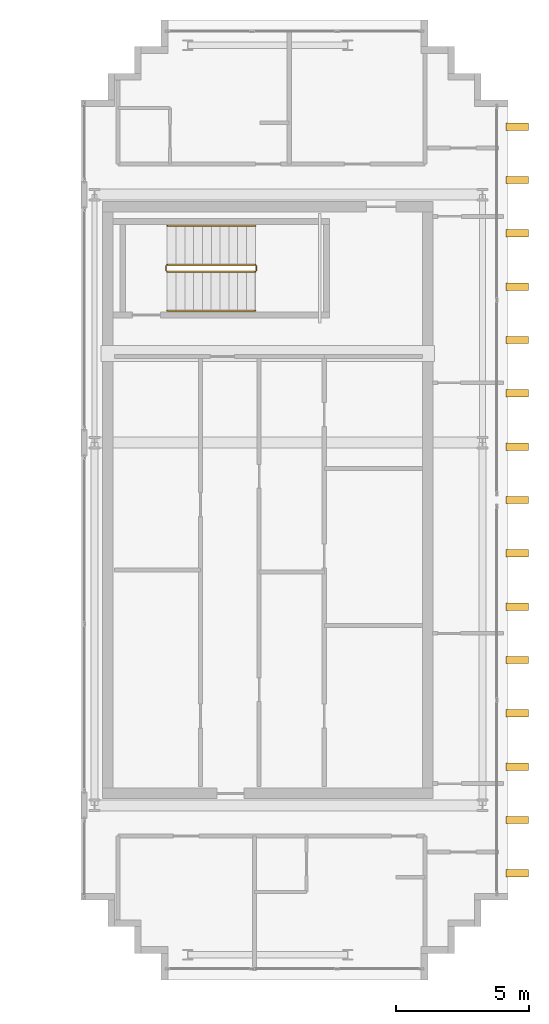
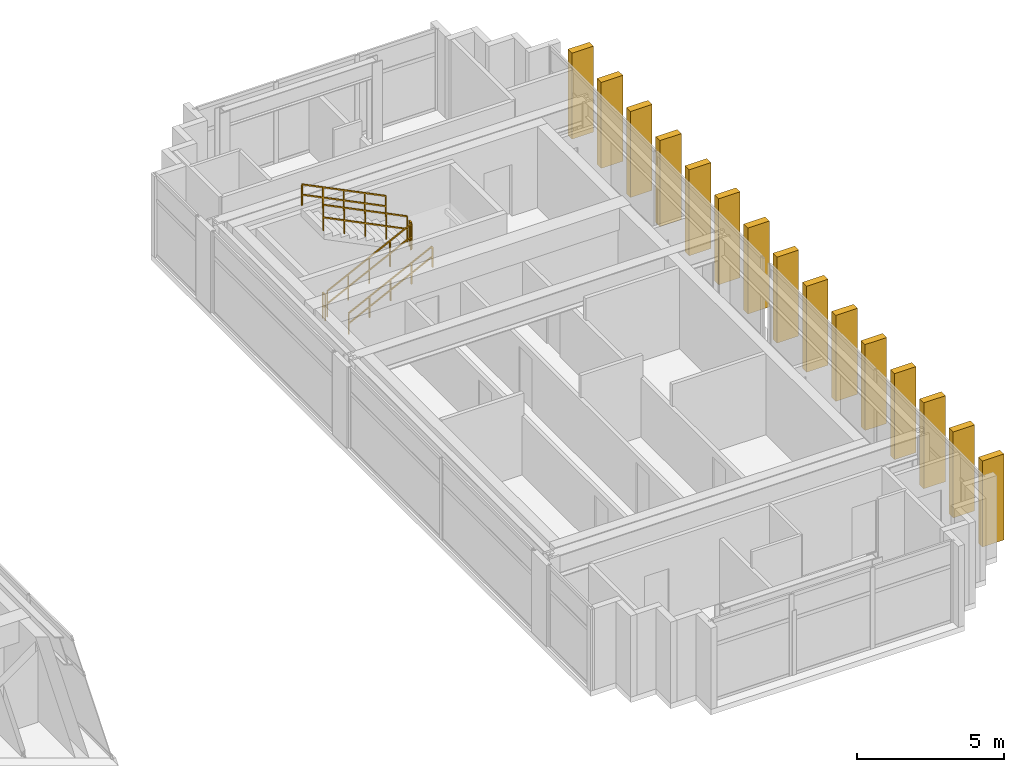
# One storey, part 25 of 25: 15 shading devices, 6 railings.
"""IFC4 building model written with IfcOpenShell, lengths in metres."""

from ifc_helpers import new_model, si_unit, direction, frame, origin, origin_2d, place, context, subcontext, project, spatial, rectangle, extrude, source, transform, mapped, material, type_object, element, save


model = new_model("IFC4")

# Units and contexts
model_context = context("Model", 3, precision=1e-05, world=origin(), true_north=direction((0.0, 1.0)))
body_context = subcontext(model_context, "Body", "Model", "MODEL_VIEW")
ifc_project = project(units=[si_unit("LENGTHUNIT", "METRE"), si_unit("AREAUNIT", "SQUARE_METRE"), si_unit("VOLUMEUNIT", "CUBIC_METRE"), si_unit("PLANEANGLEUNIT", "RADIAN"), si_unit("MASSUNIT", "GRAM", prefix="KILO")], contexts=[model_context])

# Site, building, storey
site_placement = place(None, origin())
site = spatial("IfcSite", under=ifc_project, at=site_placement, CompositionType="ELEMENT")
building_placement = place(site_placement, origin())
building = spatial("IfcBuilding", under=site, at=building_placement, Name="Ocotamira Hotel", CompositionType="ELEMENT")
storey_placement = place(building_placement, frame((0.0, 0.0, 261.60009765625)))
storey = spatial("IfcBuildingStorey", under=building, at=storey_placement, Name="L66", CompositionType="ELEMENT", Elevation=261.60009765625)

# Railings
ifc_material_1 = material(Name="Brushed stainless steel handrail", Category="steel")
railing_type_1 = type_object("IfcRailingType", Name="RL-HAND-900", PredefinedType="HANDRAIL", material=ifc_material_1)
railing_1_placement = place(storey_placement, frame((43.22998046875, 33.10009765625, 0.3271484375)))
element("IfcRailing", 1, at=railing_1_placement, inside=storey, type_object=railing_type_1, Name="L66 ST-4 stair handrail 1", PredefinedType="HANDRAIL", context=body_context, shape_type="SweptSolid", body=[
    extrude(rectangle(XDim=0.048095703125, YDim=0.048095703125, at=origin_2d()), frame((0.0, 0.0, 0.8759765625), z_axis=(0.895893744519, 0.0, 0.4442683857), x_axis=(0.0, 1.0, 0.0)), (0.0, 0.0, 1.0), 3.68359375),
    extrude(rectangle(XDim=0.048095703125, YDim=0.048095703125, at=origin_2d()), frame((0.0, 0.0, 0.449951171875), z_axis=(0.895893744519, 0.0, 0.4442683857), x_axis=(0.0, 1.0, 0.0)), (0.0, 0.0, 1.0), 3.68359375),
    extrude(rectangle(XDim=0.0419921875, YDim=0.0419921875, at=origin_2d()), origin(), (0.0, 0.0, 1.0), 0.851806640625),
    extrude(rectangle(XDim=0.0419921875, YDim=0.0419921875, at=origin_2d()), frame((0.824951171875, 0.0, 0.4091796875)), (0.0, 0.0, 1.0), 0.851806640625),
    extrude(rectangle(XDim=0.0419921875, YDim=0.0419921875, at=origin_2d()), frame((1.64990234375, 0.0, 0.818359375)), (0.0, 0.0, 1.0), 0.851806640625),
    extrude(rectangle(XDim=0.0419921875, YDim=0.0419921875, at=origin_2d()), frame((2.47509765625, 0.0, 1.227294921875)), (0.0, 0.0, 1.0), 0.851806640625),
    extrude(rectangle(XDim=0.0419921875, YDim=0.0419921875, at=origin_2d()), frame((3.300048828125, 0.0, 1.636474609375)), (0.0, 0.0, 1.0), 0.851806640625),
])
railing_2_placement = place(storey_placement, frame((46.530029296875, 36.280029296875, 2.127197265625)))
element("IfcRailing", 2, at=railing_2_placement, inside=storey, type_object=railing_type_1, Name="L66 ST-4 stair handrail 2", PredefinedType="HANDRAIL", context=body_context, shape_type="SweptSolid", body=[
    extrude(rectangle(XDim=0.048095703125, YDim=0.048095703125, at=origin_2d()), frame((0.0, 0.0, 0.8759765625), z_axis=(-0.895920123917, 0.0, 0.444215186098), x_axis=(0.0, -1.0, 0.0)), (0.0, 0.0, 1.0), 3.683349609375),
    extrude(rectangle(XDim=0.048095703125, YDim=0.048095703125, at=origin_2d()), frame((0.0, 0.0, 0.449951171875), z_axis=(-0.895920123917, 0.0, 0.444215186098), x_axis=(0.0, -1.0, 0.0)), (0.0, 0.0, 1.0), 3.683349609375),
    extrude(rectangle(XDim=0.0419921875, YDim=0.0419921875, at=origin_2d()), origin(), (0.0, 0.0, 1.0), 0.851806640625),
    extrude(rectangle(XDim=0.0419921875, YDim=0.0419921875, at=origin_2d()), frame((-0.824951171875, 0.0, 0.4091796875)), (0.0, 0.0, 1.0), 0.851806640625),
    extrude(rectangle(XDim=0.0419921875, YDim=0.0419921875, at=origin_2d()), frame((-1.64990234375, 0.0, 0.818115234375)), (0.0, 0.0, 1.0), 0.851806640625),
    extrude(rectangle(XDim=0.0419921875, YDim=0.0419921875, at=origin_2d()), frame((-2.47509765625, 0.0, 1.22705078125)), (0.0, 0.0, 1.0), 0.851806640625),
    extrude(rectangle(XDim=0.0419921875, YDim=0.0419921875, at=origin_2d()), frame((-3.300048828125, 0.0, 1.63623046875)), (0.0, 0.0, 1.0), 0.851806640625),
])
ifc_material_2 = material(Name="Painted steel stair guardrail", Category="steel")
railing_type_2 = type_object("IfcRailingType", Name="RL-STAIR-1100", PredefinedType="GUARDRAIL", material=ifc_material_2)
railing_3_placement = place(storey_placement, frame((43.22998046875, 34.56005859375, 0.16357421875)))
element("IfcRailing", 3, at=railing_3_placement, inside=storey, type_object=railing_type_2, Name="L66 ST-4 stair guard 1", PredefinedType="GUARDRAIL", context=body_context, shape_type="SweptSolid", body=[
    extrude(rectangle(XDim=0.048095703125, YDim=0.048095703125, at=origin_2d()), frame((0.0, 0.0, 1.076171875), z_axis=(0.895920123917, 0.0, 0.444215186098), x_axis=(0.0, 1.0, 0.0)), (0.0, 0.0, 1.0), 3.683349609375),
    extrude(rectangle(XDim=0.048095703125, YDim=0.048095703125, at=origin_2d()), frame((0.0, 0.0, 0.550048828125), z_axis=(0.895920123917, 0.0, 0.444215186098), x_axis=(0.0, 1.0, 0.0)), (0.0, 0.0, 1.0), 3.683349609375),
    extrude(rectangle(XDim=0.0419921875, YDim=0.0419921875, at=origin_2d()), origin(), (0.0, 0.0, 1.0), 1.052001953125),
    extrude(rectangle(XDim=0.0419921875, YDim=0.0419921875, at=origin_2d()), frame((0.824951171875, 0.0, 0.4091796875)), (0.0, 0.0, 1.0), 1.052001953125),
    extrude(rectangle(XDim=0.0419921875, YDim=0.0419921875, at=origin_2d()), frame((1.64990234375, 0.0, 0.818115234375)), (0.0, 0.0, 1.0), 1.052001953125),
    extrude(rectangle(XDim=0.0419921875, YDim=0.0419921875, at=origin_2d()), frame((2.47509765625, 0.0, 1.22705078125)), (0.0, 0.0, 1.0), 1.052001953125),
    extrude(rectangle(XDim=0.0419921875, YDim=0.0419921875, at=origin_2d()), frame((3.300048828125, 0.0, 1.63623046875)), (0.0, 0.0, 1.0), 1.052001953125),
])
railing_4_placement = place(storey_placement, frame((46.580078125, 34.610107421875, 1.7998046875)))
element("IfcRailing", 4, at=railing_4_placement, inside=storey, type_object=railing_type_2, Name="L66 ST-4 stair guard 2", PredefinedType="GUARDRAIL", context=body_context, shape_type="SweptSolid", body=[
    extrude(rectangle(XDim=0.048095703125, YDim=0.048095703125, at=origin_2d()), frame((0.0, 0.0, 1.076171875), z_axis=(0.0, 1.0, 0.0), x_axis=(-1.0, 0.0, 0.0)), (0.0, 0.0, 1.0), 0.159912109375),
    extrude(rectangle(XDim=0.048095703125, YDim=0.048095703125, at=origin_2d()), frame((0.0, 0.0, 0.550048828125), z_axis=(0.0, 1.0, 0.0), x_axis=(-1.0, 0.0, 0.0)), (0.0, 0.0, 1.0), 0.159912109375),
    extrude(rectangle(XDim=0.0419921875, YDim=0.0419921875, at=origin_2d()), origin(), (0.0, 0.0, 1.0), 1.052001953125),
    extrude(rectangle(XDim=0.0419921875, YDim=0.0419921875, at=origin_2d()), frame((0.0, 0.159912109375, 0.0)), (0.0, 0.0, 1.0), 1.052001953125),
])
railing_5_placement = place(storey_placement, frame((46.530029296875, 34.820068359375, 1.963623046875)))
element("IfcRailing", 5, at=railing_5_placement, inside=storey, type_object=railing_type_2, Name="L66 ST-4 stair guard 3", PredefinedType="GUARDRAIL", context=body_context, shape_type="SweptSolid", body=[
    extrude(rectangle(XDim=0.048095703125, YDim=0.048095703125, at=origin_2d()), frame((0.0, 0.0, 1.076171875), z_axis=(-0.895920123917, 0.0, 0.444215186098), x_axis=(0.0, -1.0, 0.0)), (0.0, 0.0, 1.0), 3.683349609375),
    extrude(rectangle(XDim=0.048095703125, YDim=0.048095703125, at=origin_2d()), frame((0.0, 0.0, 0.550048828125), z_axis=(-0.895920123917, 0.0, 0.444215186098), x_axis=(0.0, -1.0, 0.0)), (0.0, 0.0, 1.0), 3.683349609375),
    extrude(rectangle(XDim=0.0419921875, YDim=0.0419921875, at=origin_2d()), origin(), (0.0, 0.0, 1.0), 1.052001953125),
    extrude(rectangle(XDim=0.0419921875, YDim=0.0419921875, at=origin_2d()), frame((-0.824951171875, 0.0, 0.4091796875)), (0.0, 0.0, 1.0), 1.052001953125),
    extrude(rectangle(XDim=0.0419921875, YDim=0.0419921875, at=origin_2d()), frame((-1.64990234375, 0.0, 0.818115234375)), (0.0, 0.0, 1.0), 1.052001953125),
    extrude(rectangle(XDim=0.0419921875, YDim=0.0419921875, at=origin_2d()), frame((-2.47509765625, 0.0, 1.22705078125)), (0.0, 0.0, 1.0), 1.052001953125),
    extrude(rectangle(XDim=0.0419921875, YDim=0.0419921875, at=origin_2d()), frame((-3.300048828125, 0.0, 1.63623046875)), (0.0, 0.0, 1.0), 1.052001953125),
])
railing_6_placement = place(storey_placement, frame((43.179931640625, 34.610107421875, 0.0)))
element("IfcRailing", 6, at=railing_6_placement, inside=storey, type_object=railing_type_2, Name="L66 ST-4 stair guard 4", PredefinedType="GUARDRAIL", context=body_context, shape_type="SweptSolid", body=[
    extrude(rectangle(XDim=0.048095703125, YDim=0.048095703125, at=origin_2d()), frame((0.0, 0.0, 1.076171875), z_axis=(0.0, 1.0, 0.0), x_axis=(-1.0, 0.0, 0.0)), (0.0, 0.0, 1.0), 0.159912109375),
    extrude(rectangle(XDim=0.048095703125, YDim=0.048095703125, at=origin_2d()), frame((0.0, 0.0, 0.550048828125), z_axis=(0.0, 1.0, 0.0), x_axis=(-1.0, 0.0, 0.0)), (0.0, 0.0, 1.0), 0.159912109375),
    extrude(rectangle(XDim=0.0419921875, YDim=0.0419921875, at=origin_2d()), origin(), (0.0, 0.0, 1.0), 1.052001953125),
    extrude(rectangle(XDim=0.0419921875, YDim=0.0419921875, at=origin_2d()), frame((0.0, 0.159912109375, 0.0)), (0.0, 0.0, 1.0), 1.052001953125),
])

# Shading devices
ifc_material_3 = material(Name="Pale-metal anodised aluminium architectural fin", Category="aluminium")
shading_device_type = type_object("IfcShadingDeviceType", Name="SHD-PIER-850", PredefinedType="USERDEFINED", material=ifc_material_3)
shared_shape = source(origin(), body_context, "Body", "SweptSolid", [
    extrude(rectangle(XDim=0.85009765625, YDim=0.280029296875, at=origin_2d()), origin(), (0.0, 0.0, 1.0), 3.580078125),
])
for number, where, z_axis, x_axis, name in (
    (7, (56.35009765625, 12.0, -0.10009765625), (0.0, 0.0, 1.0), (1.0, 0.0, 0.0), "L66 Vertical Pale-Metal Pier E Y12"),
    (8, (56.35009765625, 14.0, -0.10009765625), (0.0, 0.0, 1.0), (1.0, 0.0, 0.0), "L66 Vertical Pale-Metal Pier E Y14"),
    (9, (56.35009765625, 16.0, -0.10009765625), (0.0, 0.0, 1.0), (1.0, 0.0, 0.0), "L66 Vertical Pale-Metal Pier E Y16"),
    (10, (56.35009765625, 18.0, -0.10009765625), (0.0, 0.0, 1.0), (1.0, 0.0, 0.0), "L66 Vertical Pale-Metal Pier E Y18"),
    (11, (56.35009765625, 20.0, -0.10009765625), (0.0, 0.0, 1.0), (1.0, 0.0, 0.0), "L66 Vertical Pale-Metal Pier E Y20"),
    (12, (56.35009765625, 22.0, -0.10009765625), (0.0, 0.0, 1.0), (1.0, 0.0, 0.0), "L66 Vertical Pale-Metal Pier E Y22"),
    (13, (56.35009765625, 24.0, -0.10009765625), (0.0, 0.0, 1.0), (1.0, 0.0, 0.0), "L66 Vertical Pale-Metal Pier E Y24"),
    (14, (56.35009765625, 26.0, -0.10009765625), (0.0, 0.0, 1.0), (1.0, 0.0, 0.0), "L66 Vertical Pale-Metal Pier E Y26"),
    (15, (56.35009765625, 28.0, -0.10009765625), (0.0, 0.0, 1.0), (1.0, 0.0, 0.0), "L66 Vertical Pale-Metal Pier E Y28"),
    (16, (56.35009765625, 30.0, -0.10009765625), (0.0, 0.0, 1.0), (1.0, 0.0, 0.0), "L66 Vertical Pale-Metal Pier E Y30"),
    (17, (56.35009765625, 32.0, -0.10009765625), (0.0, 0.0, 1.0), (1.0, 0.0, 0.0), "L66 Vertical Pale-Metal Pier E Y32"),
    (18, (56.35009765625, 34.0, -0.10009765625), (0.0, 0.0, 1.0), (1.0, 0.0, 0.0), "L66 Vertical Pale-Metal Pier E Y34"),
    (19, (56.35009765625, 36.0, -0.10009765625), (0.0, 0.0, 1.0), (1.0, 0.0, 0.0), "L66 Vertical Pale-Metal Pier E Y36"),
    (20, (56.35009765625, 38.0, -0.10009765625), (0.0, 0.0, 1.0), (1.0, 0.0, 0.0), "L66 Vertical Pale-Metal Pier E Y38"),
    (21, (56.35009765625, 40.0, -0.10009765625), (0.0, 0.0, 1.0), (1.0, 0.0, 0.0), "L66 Vertical Pale-Metal Pier E Y40"),
):
    element("IfcShadingDevice", number, at=place(storey_placement, frame(where, z_axis=z_axis, x_axis=x_axis)), inside=storey, type_object=shading_device_type, Name=name, ObjectType="FIN", PredefinedType="USERDEFINED", context=body_context, shape_type="MappedRepresentation", body=[
        mapped(shared_shape, transform((0.0, 0.0, 0.0), scale=1.0)),
    ])

save(model, "model.ifc")
